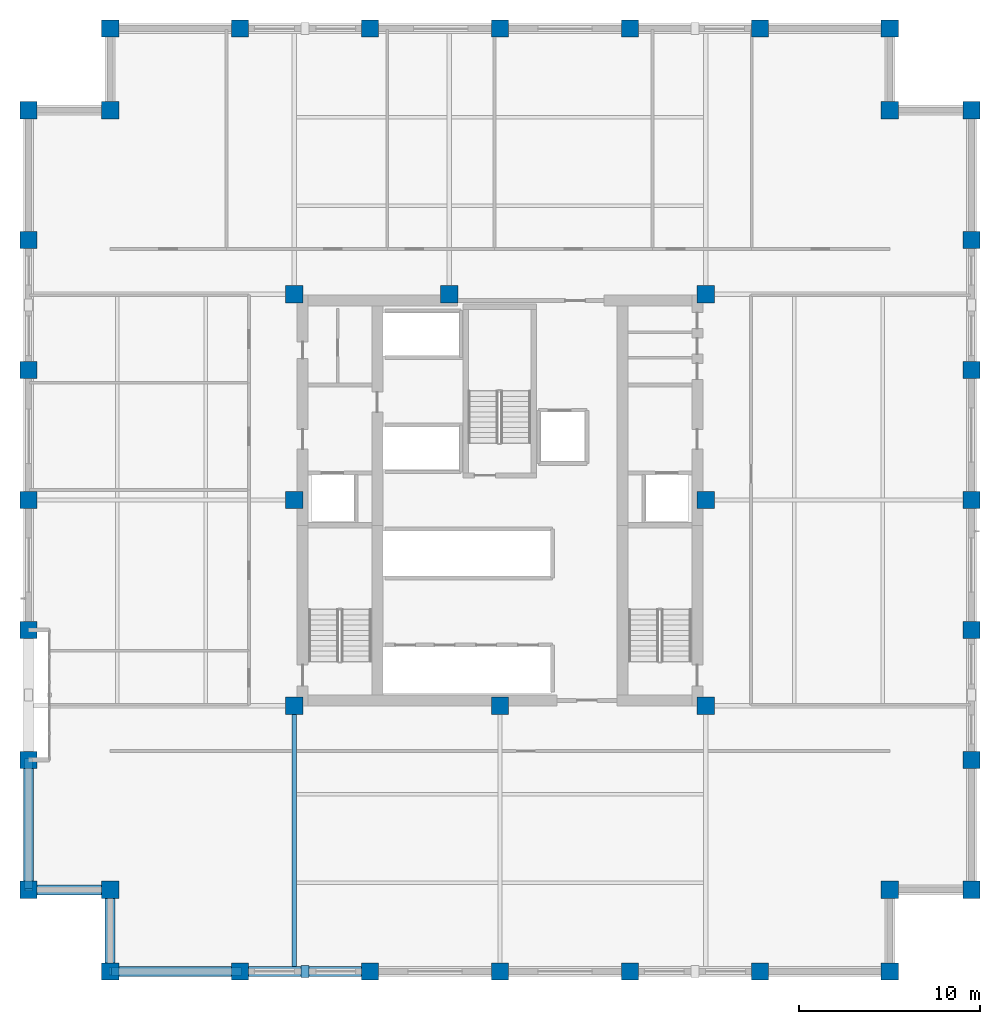
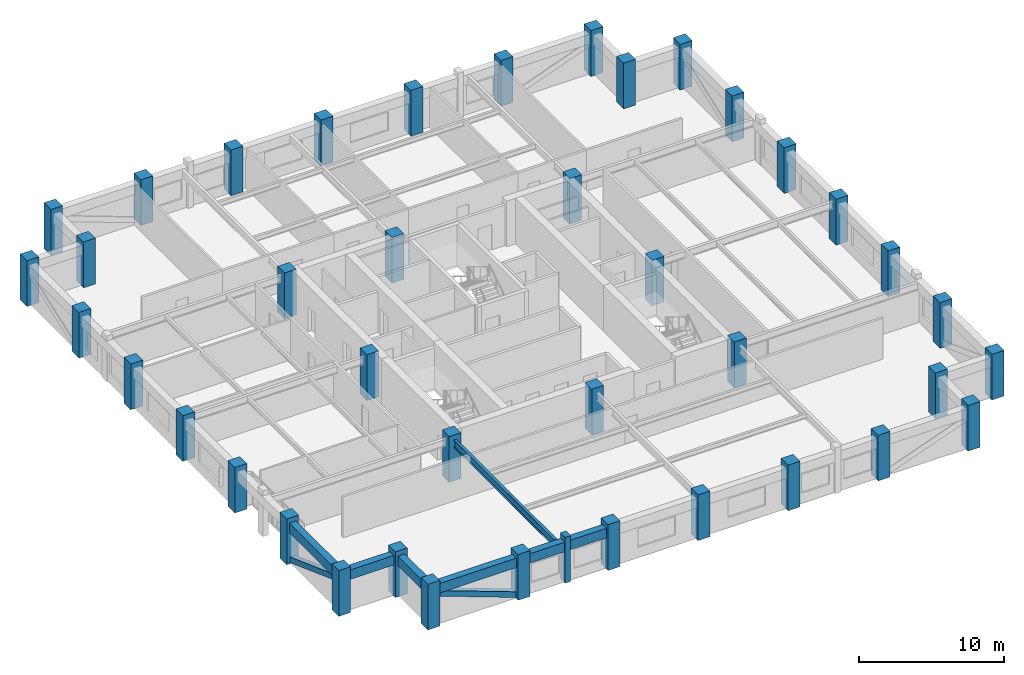
# One storey, part 1 of 14: 40 columns, 6 beams, 3 members.
"""IFC4 building model written with IfcOpenShell, lengths in metres."""

from ifc_helpers import new_model, si_unit, direction, frame, origin, origin_2d, place, context, subcontext, project, spatial, rectangle, hollow_rectangle, i_section, extrude, material, material_profile, profile_set, type_object, element, save


model = new_model("IFC4")

# Units and contexts
model_context = context("Model", 3, precision=1e-05, world=origin(), true_north=direction((0.0, 1.0)))
body_context = subcontext(model_context, "Body", "Model", "MODEL_VIEW")
ifc_project = project(units=[si_unit("LENGTHUNIT", "METRE"), si_unit("AREAUNIT", "SQUARE_METRE"), si_unit("VOLUMEUNIT", "CUBIC_METRE"), si_unit("PLANEANGLEUNIT", "RADIAN"), si_unit("MASSUNIT", "GRAM", prefix="KILO")], contexts=[model_context])

# Site, building, storey
site_placement = place(None, origin())
site = spatial("IfcSite", under=ifc_project, at=site_placement, CompositionType="ELEMENT")
building_placement = place(site_placement, origin())
building = spatial("IfcBuilding", under=site, at=building_placement, Name="Nhamokura Convention Tower", CompositionType="ELEMENT")
storey_placement = place(building_placement, frame((0.0, 0.0, 172.199951171875)))
storey = spatial("IfcBuildingStorey", under=building, at=storey_placement, Name="L42", CompositionType="ELEMENT", Elevation=172.199951171875)

# Columns
ifc_material_1 = material(Name="Concrete C60/75", Category="concrete")
ifc_material_profile_1 = material_profile(ifc_material_1, rectangle(XDim=0.949951171875, YDim=0.949951171875, at=origin_2d()))
ifc_profile_set_1 = profile_set([ifc_material_profile_1], Name="Concrete C60/75")
column_type = type_object("IfcColumnType", Name="TubeColumn_Z2_950", PredefinedType="COLUMN", material=ifc_profile_set_1)
for number, where, z_axis, x_axis, name in (
    (1, (20.64990234375, 20.64990234375, 0.0), (0.0, 0.0, 1.0), (1.0, 0.0, 0.0), "L42 Core Column CC-SW"),
    (2, (32.0, 20.64990234375, 0.0), (0.0, 0.0, 1.0), (1.0, 0.0, 0.0), "L42 Core Column CC-S"),
    (3, (43.35009765625, 20.64990234375, 0.0), (0.0, 0.0, 1.0), (1.0, 0.0, 0.0), "L42 Core Column CC-SE"),
    (4, (43.35009765625, 32.0, 0.0), (0.0, 0.0, 1.0), (1.0, 0.0, 0.0), "L42 Core Column CC-E"),
    (5, (43.35009765625, 43.35009765625, 0.0), (0.0, 0.0, 1.0), (1.0, 0.0, 0.0), "L42 Core Column CC-NE"),
    (6, (29.199951171875, 43.35009765625, 0.0), (0.0, 0.0, 1.0), (1.0, 0.0, 0.0), "L42 Core Column CC-N"),
    (7, (20.64990234375, 43.35009765625, 0.0), (0.0, 0.0, 1.0), (1.0, 0.0, 0.0), "L42 Core Column CC-NW"),
    (8, (20.64990234375, 32.0, 0.0), (0.0, 0.0, 1.0), (1.0, 0.0, 0.0), "L42 Core Column CC-W"),
    (9, (10.5, 6.0, 0.0), (0.0, 0.0, 1.0), (1.0, 0.0, 0.0), "L42 Perimeter Tube Column SW1"),
    (10, (10.5, 10.5, 0.0), (0.0, 0.0, 1.0), (1.0, 0.0, 0.0), "L42 Perimeter Tube Column SW0"),
    (11, (6.0, 10.5, 0.0), (0.0, 0.0, 1.0), (1.0, 0.0, 0.0), "L42 Perimeter Tube Column SW2"),
    (12, (53.5, 6.0, 0.0), (0.0, 0.0, 1.0), (1.0, 0.0, 0.0), "L42 Perimeter Tube Column SE1"),
    (13, (53.5, 10.5, 0.0), (0.0, 0.0, 1.0), (1.0, 0.0, 0.0), "L42 Perimeter Tube Column SE0"),
    (14, (58.0, 10.5, 0.0), (0.0, 0.0, 1.0), (1.0, 0.0, 0.0), "L42 Perimeter Tube Column SE2"),
    (15, (58.0, 53.5, 0.0), (0.0, 0.0, 1.0), (1.0, 0.0, 0.0), "L42 Perimeter Tube Column NE1"),
    (16, (53.5, 53.5, 0.0), (0.0, 0.0, 1.0), (1.0, 0.0, 0.0), "L42 Perimeter Tube Column NE0"),
    (17, (53.5, 58.0, 0.0), (0.0, 0.0, 1.0), (1.0, 0.0, 0.0), "L42 Perimeter Tube Column NE2"),
    (18, (10.5, 58.0, 0.0), (0.0, 0.0, 1.0), (1.0, 0.0, 0.0), "L42 Perimeter Tube Column NW1"),
    (19, (10.5, 53.5, 0.0), (0.0, 0.0, 1.0), (1.0, 0.0, 0.0), "L42 Perimeter Tube Column NW0"),
    (20, (6.0, 53.5, 0.0), (0.0, 0.0, 1.0), (1.0, 0.0, 0.0), "L42 Perimeter Tube Column NW2"),
    (21, (17.666748046875, 6.0, 0.0), (0.0, 0.0, 1.0), (1.0, 0.0, 0.0), "L42 Perimeter Tube Column S1"),
    (22, (17.666748046875, 58.0, 0.0), (0.0, 0.0, 1.0), (1.0, 0.0, 0.0), "L42 Perimeter Tube Column N1"),
    (23, (6.0, 17.666748046875, 0.0), (0.0, 0.0, 1.0), (1.0, 0.0, 0.0), "L42 Perimeter Tube Column W1"),
    (24, (58.0, 17.666748046875, 0.0), (0.0, 0.0, 1.0), (1.0, 0.0, 0.0), "L42 Perimeter Tube Column E1"),
    (25, (24.833251953125, 6.0, 0.0), (0.0, 0.0, 1.0), (1.0, 0.0, 0.0), "L42 Perimeter Tube Column S2"),
    (26, (24.833251953125, 58.0, 0.0), (0.0, 0.0, 1.0), (1.0, 0.0, 0.0), "L42 Perimeter Tube Column N2"),
    (27, (6.0, 24.833251953125, 0.0), (0.0, 0.0, 1.0), (1.0, 0.0, 0.0), "L42 Perimeter Tube Column W2"),
    (28, (58.0, 24.833251953125, 0.0), (0.0, 0.0, 1.0), (1.0, 0.0, 0.0), "L42 Perimeter Tube Column E2"),
    (29, (32.0, 6.0, 0.0), (0.0, 0.0, 1.0), (1.0, 0.0, 0.0), "L42 Perimeter Tube Column S3"),
    (30, (32.0, 58.0, 0.0), (0.0, 0.0, 1.0), (1.0, 0.0, 0.0), "L42 Perimeter Tube Column N3"),
    (31, (6.0, 32.0, 0.0), (0.0, 0.0, 1.0), (1.0, 0.0, 0.0), "L42 Perimeter Tube Column W3"),
    (32, (58.0, 32.0, 0.0), (0.0, 0.0, 1.0), (1.0, 0.0, 0.0), "L42 Perimeter Tube Column E3"),
    (33, (39.166748046875, 6.0, 0.0), (0.0, 0.0, 1.0), (1.0, 0.0, 0.0), "L42 Perimeter Tube Column S4"),
    (34, (39.166748046875, 58.0, 0.0), (0.0, 0.0, 1.0), (1.0, 0.0, 0.0), "L42 Perimeter Tube Column N4"),
    (35, (6.0, 39.166748046875, 0.0), (0.0, 0.0, 1.0), (1.0, 0.0, 0.0), "L42 Perimeter Tube Column W4"),
    (36, (58.0, 39.166748046875, 0.0), (0.0, 0.0, 1.0), (1.0, 0.0, 0.0), "L42 Perimeter Tube Column E4"),
    (37, (46.333251953125, 6.0, 0.0), (0.0, 0.0, 1.0), (1.0, 0.0, 0.0), "L42 Perimeter Tube Column S5"),
    (38, (46.333251953125, 58.0, 0.0), (0.0, 0.0, 1.0), (1.0, 0.0, 0.0), "L42 Perimeter Tube Column N5"),
    (39, (6.0, 46.333251953125, 0.0), (0.0, 0.0, 1.0), (1.0, 0.0, 0.0), "L42 Perimeter Tube Column W5"),
    (40, (58.0, 46.333251953125, 0.0), (0.0, 0.0, 1.0), (1.0, 0.0, 0.0), "L42 Perimeter Tube Column E5"),
):
    element("IfcColumn", number, at=place(storey_placement, frame(where, z_axis=z_axis, x_axis=x_axis)), inside=storey, type_object=column_type, Name=name, PredefinedType="COLUMN", context=body_context, shape_type="SweptSolid", body=[
        extrude(rectangle(XDim=0.949951171875, YDim=0.949951171875, at=origin_2d()), origin(), (0.0, 0.0, 1.0), 3.85009765625),
    ])

# Member
ifc_material_2 = material(Name="Bronze-pigmented precast concrete C45/55", Category="concrete")
ifc_material_profile_2 = material_profile(ifc_material_2, rectangle(XDim=0.449951171875, YDim=0.64990234375, at=origin_2d()))
ifc_profile_set_2 = profile_set([ifc_material_profile_2], Name="Bronze-pigmented precast concrete C45/55")
member_type_1 = type_object("IfcMemberType", Name="BronzePilaster_650", PredefinedType="USERDEFINED", material=ifc_profile_set_2)
member_placement = place(storey_placement, frame((21.25, 6.0, 0.0), z_axis=(0.0, 0.0, 1.0), x_axis=(1.0, 0.0, 0.0)))
element("IfcMember", 41, at=member_placement, inside=storey, type_object=member_type_1, Name="L42 Engaged Frame Pilaster SOUTH 1", ObjectType="PILASTER_TRIM", PredefinedType="USERDEFINED", context=body_context, shape_type="SweptSolid", body=[
    extrude(rectangle(XDim=0.449951171875, YDim=0.64990234375, at=origin_2d()), origin(), (0.0, 0.0, 1.0), 3.85009765625),
])

# Beam
ifc_material_3 = material(Name="Steel ASTM A992 Gr 50", Category="steel")
ifc_material_profile_3 = material_profile(ifc_material_3, i_section(OverallWidth=0.22802734375, OverallDepth=0.60791015625, WebThickness=0.01123046875, FlangeThickness=0.017333984375, at=origin_2d()))
ifc_profile_set_3 = profile_set([ifc_material_profile_3], Name="Steel ASTM A992 Gr 50")
beam_type_1 = type_object("IfcBeamType", Name="PrimaryGirder_W610X113", PredefinedType="BEAM", material=ifc_profile_set_3)
beam_1_placement = place(storey_placement, frame((20.64990234375, 6.0, 3.1259765625), z_axis=(0.0, 1.0, 0.0), x_axis=(-1.0, 0.0, 0.0)))
element("IfcBeam", 42, at=beam_1_placement, inside=storey, type_object=beam_type_1, Name="L42 Primary Floor Girder PG-S1", PredefinedType="BEAM", context=body_context, shape_type="SweptSolid", body=[
    extrude(i_section(OverallWidth=0.22802734375, OverallDepth=0.60791015625, WebThickness=0.01123046875, FlangeThickness=0.017333984375, at=origin_2d()), origin(), (0.0, 0.0, 1.0), 14.64990234375),
])

# Members
ifc_material_4 = material(Name="Steel ASTM A572 Gr 50", Category="steel")
ifc_material_profile_4 = material_profile(ifc_material_4, hollow_rectangle(XDim=0.449951171875, YDim=0.449951171875, WallThickness=0.02197265625, at=origin_2d()))
ifc_profile_set_4 = profile_set([ifc_material_profile_4], Name="Steel ASTM A572 Gr 50")
member_type_2 = type_object("IfcMemberType", Name="TubeBrace_HSS450", PredefinedType="BRACE", material=ifc_profile_set_4)
for number, where, z_axis, x_axis, name in (
    (43, (17.666748046875, 6.0, 0.150146484375), (-0.938788424992, 0.0, 0.344494256993), (0.0, -1.0, 0.0), "L42 Perimeter Tube Brace SOUTH Bay 0"),
    (44, (6.0, 17.666748046875, 0.150146484375), (0.0, -0.938788424992, 0.344494256993), (1.0, 0.0, 0.0), "L42 Perimeter Tube Brace WEST Bay 0"),
):
    element("IfcMember", number, at=place(storey_placement, frame(where, z_axis=z_axis, x_axis=x_axis)), inside=storey, type_object=member_type_2, Name=name, PredefinedType="BRACE", context=body_context, shape_type="SweptSolid", body=[
        extrude(hollow_rectangle(XDim=0.449951171875, YDim=0.449951171875, WallThickness=0.02197265625, at=origin_2d()), origin(), (0.0, 0.0, 1.0), 7.634033203125),
    ])

# Beams
ifc_material_5 = material(Name="Concrete C50/60", Category="concrete")
ifc_material_profile_5 = material_profile(ifc_material_5, rectangle(XDim=0.550048828125, YDim=0.800048828125, at=origin_2d()))
ifc_profile_set_5 = profile_set([ifc_material_profile_5], Name="Concrete C50/60")
beam_type_2 = type_object("IfcBeamType", Name="TubeSpandrel_800", PredefinedType="SPANDREL", material=ifc_profile_set_5)
beam_2_placement = place(storey_placement, frame((10.5, 6.0, 3.030029296875), z_axis=(1.0, 0.0, 0.0), x_axis=(0.0, 1.0, 0.0)))
element("IfcBeam", 45, at=beam_2_placement, inside=storey, type_object=beam_type_2, Name="L42 Perimeter Spandrel SOUTH 1", PredefinedType="SPANDREL", context=body_context, shape_type="SweptSolid", body=[
    extrude(rectangle(XDim=0.550048828125, YDim=0.800048828125, at=origin_2d()), origin(), (0.0, 0.0, 1.0), 7.166748046875),
])
beam_3_placement = place(storey_placement, frame((17.666748046875, 6.0, 3.030029296875), z_axis=(1.0, 0.0, 0.0), x_axis=(0.0, 1.0, 0.0)))
element("IfcBeam", 46, at=beam_3_placement, inside=storey, type_object=beam_type_2, Name="L42 Perimeter Spandrel SOUTH 2", PredefinedType="SPANDREL", context=body_context, shape_type="SweptSolid", body=[
    extrude(rectangle(XDim=0.550048828125, YDim=0.800048828125, at=origin_2d()), origin(), (0.0, 0.0, 1.0), 7.16650390625),
])
beam_4_placement = place(storey_placement, frame((6.0, 10.5, 3.030029296875), z_axis=(0.0, 1.0, 0.0), x_axis=(-1.0, 0.0, 0.0)))
element("IfcBeam", 47, at=beam_4_placement, inside=storey, type_object=beam_type_2, Name="L42 Perimeter Spandrel WEST 1", PredefinedType="SPANDREL", context=body_context, shape_type="SweptSolid", body=[
    extrude(rectangle(XDim=0.550048828125, YDim=0.800048828125, at=origin_2d()), origin(), (0.0, 0.0, 1.0), 7.166748046875),
])
for number, where, z_axis, x_axis, name in (
    (48, (10.5, 6.0, 3.030029296875), (0.0, 1.0, 0.0), (-1.0, 0.0, 0.0), "L42 Notch Spandrel SW1"),
    (49, (10.5, 10.5, 3.030029296875), (-1.0, 0.0, 0.0), (0.0, -1.0, 0.0), "L42 Notch Spandrel SW2"),
):
    element("IfcBeam", number, at=place(storey_placement, frame(where, z_axis=z_axis, x_axis=x_axis)), inside=storey, type_object=beam_type_2, Name=name, PredefinedType="SPANDREL", context=body_context, shape_type="SweptSolid", body=[
        extrude(rectangle(XDim=0.550048828125, YDim=0.800048828125, at=origin_2d()), origin(), (0.0, 0.0, 1.0), 4.5),
    ])

save(model, "model.ifc")
